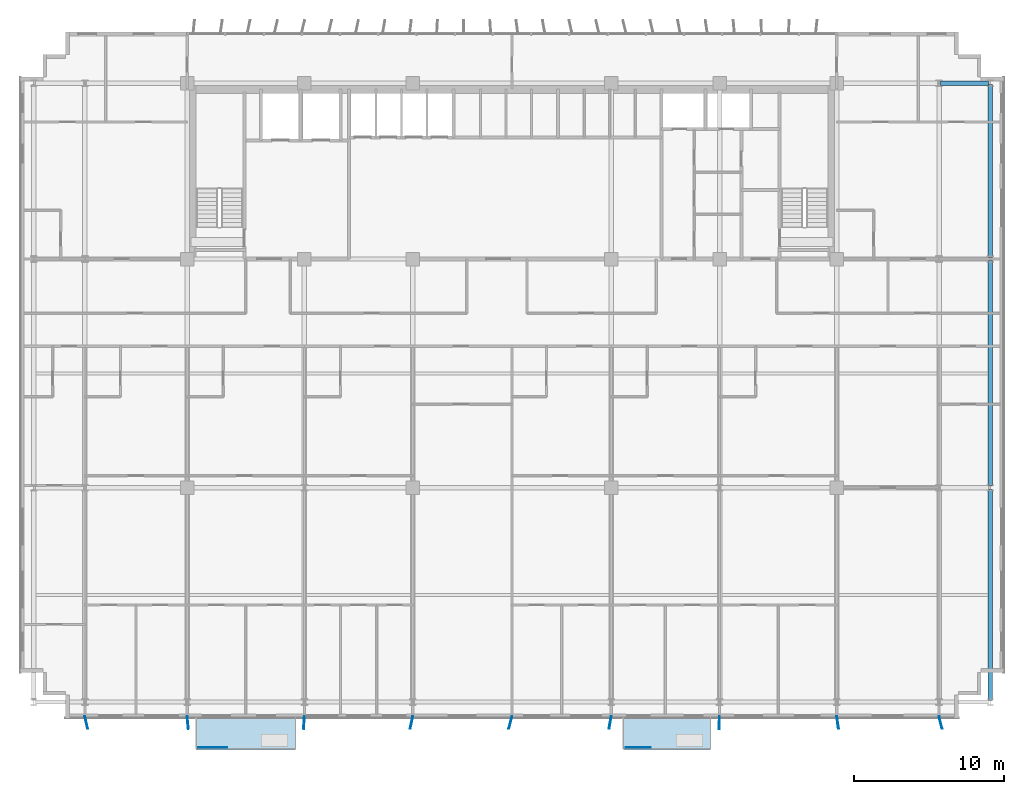
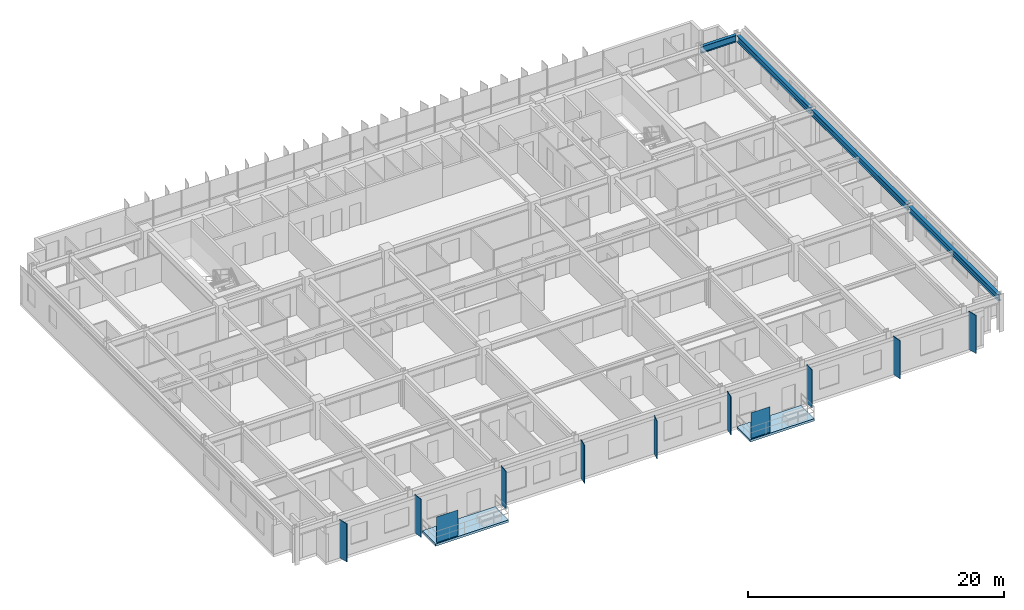
# One storey, part 13 of 24: 11 plates, 4 beams, 2 slabs.
"""IFC4 building model written with IfcOpenShell, lengths in metres."""

from ifc_helpers import new_model, si_unit, direction, frame, origin, origin_2d, place, context, subcontext, project, spatial, polyline, rectangle, i_section, outline, extrude, source, transform, mapped, material, layer, layer_set, material_profile, profile_set, type_object, element, save


model = new_model("IFC4")

# Units and contexts
model_context = context("Model", 3, precision=1e-05, world=origin(), true_north=direction((0.0, 1.0)))
body_context = subcontext(model_context, "Body", "Model", "MODEL_VIEW")
ifc_project = project(units=[si_unit("LENGTHUNIT", "METRE"), si_unit("AREAUNIT", "SQUARE_METRE"), si_unit("VOLUMEUNIT", "CUBIC_METRE"), si_unit("PLANEANGLEUNIT", "RADIAN"), si_unit("MASSUNIT", "GRAM", prefix="KILO")], contexts=[model_context])

# Site, building, storey
site_placement = place(None, origin())
site = spatial("IfcSite", under=ifc_project, at=site_placement, CompositionType="ELEMENT")
building_placement = place(site_placement, origin())
building = spatial("IfcBuilding", under=site, at=building_placement, Name="Trelvane Seafront Commons", CompositionType="ELEMENT")
storey_placement = place(building_placement, frame((0.0, 0.0, 30.699951171875)))
storey = spatial("IfcBuildingStorey", under=building, at=storey_placement, Name="L07", CompositionType="ELEMENT", Elevation=30.699951171875)

# Beams
ifc_material_1 = material(Name="Steel SM355 (S355)", Category="steel")
ifc_material_profile_1 = material_profile(ifc_material_1, i_section(OverallWidth=0.280029296875, OverallDepth=0.64990234375, WebThickness=0.012939453125, FlangeThickness=0.02197265625, at=origin_2d()), Name="H-650x280x13x22")
ifc_profile_set_1 = profile_set([ifc_material_profile_1], Name="Steel SM355 (S355)")
beam_type_1 = type_object("IfcBeamType", Name="STR-BM-H650", PredefinedType="BEAM", material=ifc_profile_set_1)
shared_shape_1 = source(origin(), body_context, "Body", "SweptSolid", [
    extrude(i_section(OverallWidth=0.280029296875, OverallDepth=0.64990234375, WebThickness=0.012939453125, FlangeThickness=0.02197265625, at=origin_2d()), origin(), (0.0, 0.0, 1.0), 3.18994140625),
])
beam_1_placement = place(storey_placement, frame((65.705078125, 45.10009765625, 3.01513671875), z_axis=(1.0, 0.0, 0.0), x_axis=(0.0, 1.0, 0.0)))
element("IfcBeam", 1, at=beam_1_placement, inside=storey, type_object=beam_type_1, Name="L07 Primary Girder G-36", PredefinedType="BEAM", context=body_context, shape_type="MappedRepresentation", body=[
    mapped(shared_shape_1, transform((0.0, 0.0, 0.0), x_axis=(1.0, 0.0, 0.0), y_axis=(0.0, 1.0, 0.0), z_axis=(0.0, 0.0, 1.0), scale=1.0)),
])
ifc_material_profile_2 = material_profile(ifc_material_1, i_section(OverallWidth=0.300048828125, OverallDepth=0.587890625, WebThickness=0.011962890625, FlangeThickness=0.02001953125, at=origin_2d()), Name="H-588x300x12x20")
ifc_profile_set_2 = profile_set([ifc_material_profile_2], Name="Steel SM355 (S355)")
beam_type_2 = type_object("IfcBeamType", Name="STR-BM-H588", PredefinedType="BEAM", material=ifc_profile_set_2)
shared_shape_2 = source(origin(), body_context, "Body", "SweptSolid", [
    extrude(i_section(OverallWidth=0.300048828125, OverallDepth=0.587890625, WebThickness=0.011962890625, FlangeThickness=0.02001953125, at=origin_2d()), origin(), (0.0, 0.0, 1.0), 14.0400390625),
])
beam_2_placement = place(storey_placement, frame((69.0, 4.054931640625, 3.046142578125), z_axis=(0.0, 1.0, 0.0), x_axis=(-1.0, 0.0, 0.0)))
element("IfcBeam", 2, at=beam_2_placement, inside=storey, type_object=beam_type_2, Name="L07 Primary Girder G-64", PredefinedType="BEAM", context=body_context, shape_type="MappedRepresentation", body=[
    mapped(shared_shape_2, transform((0.0, 0.0, 0.0), x_axis=(1.0, 0.0, 0.0), y_axis=(0.0, 1.0, 0.0), z_axis=(0.0, 0.0, 1.0), scale=1.0)),
])
shared_shape_3 = source(origin(), body_context, "Body", "SweptSolid", [
    extrude(i_section(OverallWidth=0.300048828125, OverallDepth=0.587890625, WebThickness=0.011962890625, FlangeThickness=0.02001953125, at=origin_2d()), origin(), (0.0, 0.0, 1.0), 14.989990234375),
])
beam_3_placement = place(storey_placement, frame((69.0, 18.304931640625, 3.046142578125), z_axis=(0.0, 1.0, 0.0), x_axis=(-1.0, 0.0, 0.0)))
element("IfcBeam", 3, at=beam_3_placement, inside=storey, type_object=beam_type_2, Name="L07 Primary Girder G-65", PredefinedType="BEAM", context=body_context, shape_type="MappedRepresentation", body=[
    mapped(shared_shape_3, transform((0.0, 0.0, 0.0), x_axis=(1.0, 0.0, 0.0), y_axis=(0.0, 1.0, 0.0), z_axis=(0.0, 0.0, 1.0), scale=1.0)),
])
shared_shape_4 = source(origin(), body_context, "Body", "SweptSolid", [
    extrude(i_section(OverallWidth=0.300048828125, OverallDepth=0.587890625, WebThickness=0.011962890625, FlangeThickness=0.02001953125, at=origin_2d()), origin(), (0.0, 0.0, 1.0), 11.490234375),
])
beam_4_placement = place(storey_placement, frame((69.0, 33.5048828125, 3.046142578125), z_axis=(0.0, 1.0, 0.0), x_axis=(-1.0, 0.0, 0.0)))
element("IfcBeam", 4, at=beam_4_placement, inside=storey, type_object=beam_type_2, Name="L07 Primary Girder G-66", PredefinedType="BEAM", context=body_context, shape_type="MappedRepresentation", body=[
    mapped(shared_shape_4, transform((0.0, 0.0, 0.0), x_axis=(1.0, 0.0, 0.0), y_axis=(0.0, 1.0, 0.0), z_axis=(0.0, 0.0, 1.0), scale=1.0)),
])

# Slabs
ifc_material_2 = material(Name="Concrete C40/50", Category="concrete")
ifc_layer_1 = layer(ifc_material_2, 0.219970703125, Name="ARCH-BALC-220")
ifc_layer_set_1 = layer_set([ifc_layer_1], Name="Concrete C40/50")
slab_type = type_object("IfcSlabType", Name="ARCH-BALC-220", PredefinedType="FLOOR", material=ifc_layer_set_1)
slab_1_placement = place(storey_placement, frame((0.0, 0.0, -0.219970703125)))
element("IfcSlab", 5, at=slab_1_placement, inside=storey, type_object=slab_type, Name="L07 Cantilevered Tree Balcony Loggia 1", PredefinedType="FLOOR", context=body_context, shape_type="SweptSolid", body=[
    extrude(outline(polyline([(16.199951171875, 0.800048828125), (22.800048828125, 0.800048828125), (22.800048828125, 2.89990234375), (16.199951171875, 2.89990234375), (16.199951171875, 0.800048828125)])), origin(), (0.0, 0.0, 1.0), 0.219970703125),
])
slab_2_placement = place(storey_placement, frame((0.0, 0.0, -0.219970703125)))
element("IfcSlab", 6, at=slab_2_placement, inside=storey, type_object=slab_type, Name="L07 Cantilevered Tree Balcony Loggia 2", PredefinedType="FLOOR", context=body_context, shape_type="SweptSolid", body=[
    extrude(outline(polyline([(44.60009765625, 0.800048828125), (50.39990234375, 0.800048828125), (50.39990234375, 2.89990234375), (44.60009765625, 2.89990234375), (44.60009765625, 0.800048828125)])), origin(), (0.0, 0.0, 1.0), 0.219970703125),
])

# Plates
ifc_material_3 = material(Name="Perforated anodised aluminium screen", Category="aluminium")
ifc_layer_2 = layer(ifc_material_3, 0.01611328125, Name="ARCH-PLATE-SCREEN")
ifc_layer_set_2 = layer_set([ifc_layer_2], Name="Perforated anodised aluminium screen")
plate_type_1 = type_object("IfcPlateType", Name="ARCH-PLATE-SCREEN", PredefinedType="USERDEFINED", material=ifc_layer_set_2)
shared_shape_5 = source(origin(), body_context, "Body", "SweptSolid", [
    extrude(rectangle(XDim=1.9140625, YDim=0.01611328125, at=origin_2d()), origin(), (0.0, 0.0, 1.0), 2.449951171875),
])
plate_1_placement = place(storey_placement, frame((17.306884765625, 0.919921875, 0.0), z_axis=(0.0, 0.0, 1.0), x_axis=(1.0, 0.0, 0.0)))
element("IfcPlate", 7, at=plate_1_placement, inside=storey, type_object=plate_type_1, Name="SCR-L07-00023", ObjectType="SCREEN", PredefinedType="USERDEFINED", context=body_context, shape_type="MappedRepresentation", body=[
    mapped(shared_shape_5, transform((0.0, 0.0, 0.0), x_axis=(1.0, 0.0, 0.0), y_axis=(0.0, 1.0, 0.0), z_axis=(0.0, 0.0, 1.0), scale=1.0)),
])
shared_shape_6 = source(origin(), body_context, "Body", "SweptSolid", [
    extrude(rectangle(XDim=1.681884765625, YDim=0.01611328125, at=origin_2d()), origin(), (0.0, 0.0, 1.0), 2.449951171875),
])
plate_2_placement = place(storey_placement, frame((45.591064453125, 0.919921875, 0.0), z_axis=(0.0, 0.0, 1.0), x_axis=(1.0, 0.0, 0.0)))
element("IfcPlate", 8, at=plate_2_placement, inside=storey, type_object=plate_type_1, Name="SCR-L07-00024", ObjectType="SCREEN", PredefinedType="USERDEFINED", context=body_context, shape_type="MappedRepresentation", body=[
    mapped(shared_shape_6, transform((0.0, 0.0, 0.0), x_axis=(1.0, 0.0, 0.0), y_axis=(0.0, 1.0, 0.0), z_axis=(0.0, 0.0, 1.0), scale=1.0)),
])
ifc_material_4 = material(Name="Anodised pale-silver aluminium", Category="aluminium")
ifc_layer_3 = layer(ifc_material_4, 0.06005859375, Name="ARCH-PLATE-FIN900")
ifc_layer_set_3 = layer_set([ifc_layer_3], Name="Anodised pale-silver aluminium")
plate_type_2 = type_object("IfcPlateType", Name="ARCH-PLATE-FIN900", PredefinedType="USERDEFINED", material=ifc_layer_set_3)
shared_shape_7 = source(origin(), body_context, "Body", "SweptSolid", [
    extrude(rectangle(XDim=0.85009765625, YDim=0.06005859375, at=origin_2d()), origin(), (0.0, 0.0, 1.0), 3.639892578125),
])
for number, where, z_axis, x_axis, name in (
    (9, (8.893310546875, 2.58544921875, -0.02001953125), (0.0, 0.0, 1.0), (0.219296220289, -0.97565832532, 0.0), "FIN-S-L07-00091"),
    (10, (15.643310546875, 2.5771484375, -0.02001953125), (0.0, 0.0, 1.0), (0.101879313455, -0.994796765923, 0.0), "FIN-S-L07-00092"),
    (11, (23.372314453125, 2.575927734375, -0.02001953125), (0.0, 0.0, 1.0), (-0.064941600274, -0.997889066256, 0.0), "FIN-S-L07-00093"),
    (12, (30.514892578125, 2.58349609375, -0.02001953125), (0.0, 0.0, 1.0), (-0.200118693683, -0.979771661378, 0.0), "FIN-S-L07-00094"),
    (13, (37.09765625, 2.58740234375, -0.02001953125), (0.0, 0.0, 1.0), (-0.24081928061, -0.970569973823, 0.0), "FIN-S-L07-00095"),
    (14, (43.727783203125, 2.581298828125, -0.02001953125), (0.0, 0.0, 1.0), (-0.169643636792, -0.985505472586, 0.0), "FIN-S-L07-00096"),
    (15, (50.992431640625, 2.5751953125, -0.02001953125), (0.0, 0.0, 1.0), (-0.017646108149, -0.999844295312, 0.0), "FIN-S-L07-00097"),
    (16, (58.860595703125, 2.579345703125, -0.02001953125), (0.0, 0.0, 1.0), (0.14293641922, -0.989731872812, 0.0), "FIN-S-L07-00098"),
    (17, (65.69970703125, 2.5869140625, -0.02001953125), (0.0, 0.0, 1.0), (0.234943630341, -0.972008997161, 0.0), "FIN-S-L07-00099"),
):
    element("IfcPlate", number, at=place(storey_placement, frame(where, z_axis=z_axis, x_axis=x_axis)), inside=storey, type_object=plate_type_2, Name=name, ObjectType="FIN", PredefinedType="USERDEFINED", context=body_context, shape_type="MappedRepresentation", body=[
        mapped(shared_shape_7, transform((0.0, 0.0, 0.0), x_axis=(1.0, 0.0, 0.0), y_axis=(0.0, 1.0, 0.0), z_axis=(0.0, 0.0, 1.0), scale=1.0)),
    ])

save(model, "model.ifc")
